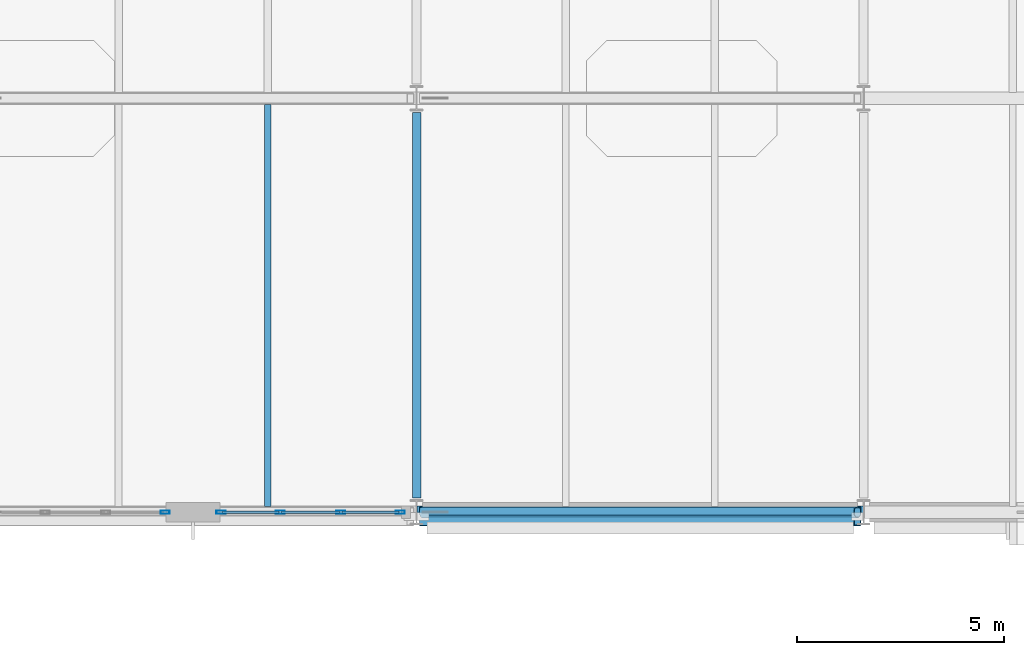
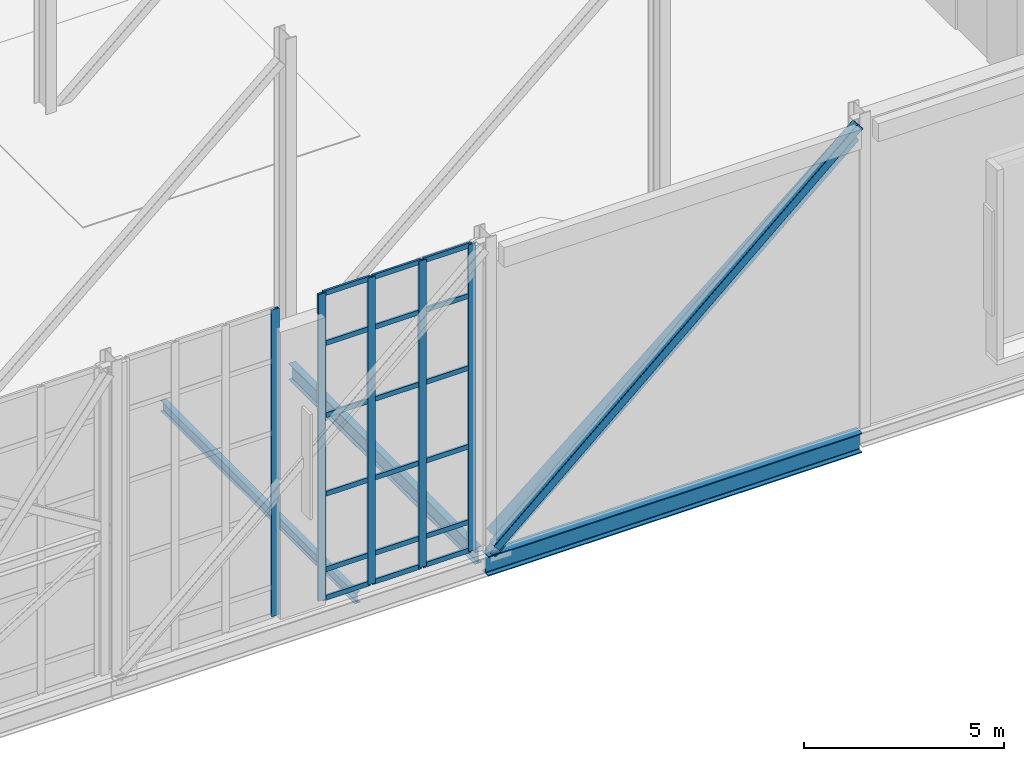
# One storey, part 15 of 100: 26 members, 3 beams, 2 elements without a shape of their own.
"""IFC4 building model written with IfcOpenShell, lengths in metres."""

from ifc_helpers import new_model, si_unit, direction, frame, origin, origin_2d, place, context, subcontext, project, spatial, hollow_rectangle, hollow_circle, i_section, extrude, material, layer, layer_set, material_profile, profile_set, type_object, element, aggregate, save


model = new_model("IFC4")

# Units and contexts
model_context = context("Model", 3, precision=1e-05, world=origin(), true_north=direction((0.0, 1.0)))
body_context = subcontext(model_context, "Body", "Model", "MODEL_VIEW")
ifc_project = project(units=[si_unit("LENGTHUNIT", "METRE"), si_unit("AREAUNIT", "SQUARE_METRE"), si_unit("VOLUMEUNIT", "CUBIC_METRE"), si_unit("PLANEANGLEUNIT", "RADIAN"), si_unit("MASSUNIT", "GRAM", prefix="KILO")], contexts=[model_context])

# Site, building, storey
site_placement = place(None, origin())
site = spatial("IfcSite", under=ifc_project, at=site_placement, CompositionType="ELEMENT")
building_placement = place(site_placement, origin())
building = spatial("IfcBuilding", under=site, at=building_placement, Name="Tasgan Crest Museum", CompositionType="ELEMENT")
storey_placement = place(building_placement, frame((0.0, 0.0, 14.39990234375)))
storey = spatial("IfcBuildingStorey", under=building, at=storey_placement, Name="L03", CompositionType="ELEMENT", Elevation=14.39990234375)

# Beams
ifc_material_1 = material(Name="Steel S355K2", Category="steel")
ifc_material_profile_1 = material_profile(ifc_material_1, i_section(OverallWidth=0.300048828125, OverallDepth=0.60009765625, WebThickness=0.015380859375, FlangeThickness=0.030029296875, FilletRadius=0.027099609375, at=origin_2d()), Name="HEB 600")
ifc_profile_set_1 = profile_set([ifc_material_profile_1], Name="Steel S355K2")
beam_type_1 = type_object("IfcBeamType", Name="BM-CANT-G1", PredefinedType="BEAM", material=ifc_profile_set_1)
beam_1_placement = place(storey_placement, frame((21.6064453125, 40.0, -0.559814453125), z_axis=(1.0, 0.0, 0.0), x_axis=(0.0, 1.0, 0.0)))
element("IfcBeam", 1, at=beam_1_placement, inside=storey, type_object=beam_type_1, Name="Transfer back-span girder 2 MID E", PredefinedType="BEAM", context=body_context, shape_type="SweptSolid", body=[
    extrude(i_section(OverallWidth=0.300048828125, OverallDepth=0.60009765625, WebThickness=0.015380859375, FlangeThickness=0.030029296875, FilletRadius=0.027099609375, at=origin_2d()), origin(), (0.0, 0.0, 1.0), 10.787109375),
])
ifc_material_2 = material(Name="Steel S355J2", Category="steel")
ifc_material_profile_2 = material_profile(ifc_material_2, i_section(OverallWidth=0.199951171875, OverallDepth=0.5, WebThickness=0.01025390625, FlangeThickness=0.01611328125, FilletRadius=0.02099609375, at=origin_2d()), Name="IPE 500")
ifc_profile_set_2 = profile_set([ifc_material_profile_2], Name="Steel S355J2")
beam_type_2 = type_object("IfcBeamType", Name="BM-G-IPE500", PredefinedType="BEAM", material=ifc_profile_set_2)
beam_2_placement = place(storey_placement, frame((21.60009765625, 40.344970703125, -0.510009765625), z_axis=(0.0, 1.0, 0.0), x_axis=(-1.0, 0.0, 0.0)))
element("IfcBeam", 2, at=beam_2_placement, inside=storey, type_object=beam_type_2, Name="Beam L03 3 40.0-50.0", PredefinedType="BEAM", context=body_context, shape_type="SweptSolid", body=[
    extrude(i_section(OverallWidth=0.199951171875, OverallDepth=0.5, WebThickness=0.01025390625, FlangeThickness=0.01611328125, FilletRadius=0.02099609375, at=origin_2d()), origin(), (0.0, 0.0, 1.0), 9.31005859375),
])
ifc_material_3 = material(Name="Steel S355J2", Category="steel")
ifc_material_profile_3 = material_profile(ifc_material_3, i_section(OverallWidth=0.159912109375, OverallDepth=0.330078125, WebThickness=0.007568359375, FlangeThickness=0.011474609375, FilletRadius=0.01806640625, at=origin_2d()), Name="IPE 330")
ifc_profile_set_3 = profile_set([ifc_material_profile_3], Name="Steel S355J2")
beam_type_3 = type_object("IfcBeamType", Name="BM-J-IPE330", PredefinedType="JOIST", material=ifc_profile_set_3)
beam_3_placement = place(storey_placement, frame((18.0, 40.14501953125, -0.4248046875), z_axis=(0.0, 1.0, 0.0), x_axis=(-1.0, 0.0, 0.0)))
element("IfcBeam", 3, at=beam_3_placement, inside=storey, type_object=beam_type_3, Name="Secondary joist L03 X=18.0 Y=40.0-50.0", PredefinedType="JOIST", context=body_context, shape_type="SweptSolid", body=[
    extrude(i_section(OverallWidth=0.159912109375, OverallDepth=0.330078125, WebThickness=0.007568359375, FlangeThickness=0.011474609375, FilletRadius=0.01806640625, at=origin_2d()), origin(), (0.0, 0.0, 1.0), 9.7099609375),
])

# Curtain wall, member
ifc_material_4 = material(Name="Triple-Glazed Aluminium Curtain Wall", Category="aluminium")
ifc_layer = layer(ifc_material_4, 0.179931640625, Name="CW-CANT-SIDE-96")
ifc_layer_set = layer_set([ifc_layer], Name="Triple-Glazed Aluminium Curtain Wall")
curtain_wall_type = type_object("IfcCurtainWallType", Name="CW-CANT-SIDE-96", PredefinedType="NOTDEFINED", material=ifc_layer_set)
curtain_wall_1_placement = place(storey_placement, origin())
curtain_wall_1 = element("IfcCurtainWall", 4, at=curtain_wall_1_placement, inside=storey, type_object=curtain_wall_type, Name="Curtain wall L03 141", PredefinedType="NOTDEFINED")
ifc_material_5 = material(Name="Anodised Aluminium", Category="aluminium")
ifc_material_profile_4 = material_profile(ifc_material_5, hollow_rectangle(XDim=0.074951171875, YDim=0.219970703125, WallThickness=0.006103515625, at=origin_2d()), Name="ALU MULLION 220x75x6")
ifc_profile_set_4 = profile_set([ifc_material_profile_4], Name="Anodised Aluminium")
member_type_1 = type_object("IfcMemberType", Name="CW-MULLION-220", PredefinedType="MULLION", material=ifc_profile_set_4)
member_1_placement = place(storey_placement, frame((15.52490234375, 40.0, 0.0), z_axis=(0.0, 0.0, 1.0), x_axis=(0.0, 1.0, 0.0)))
member_1 = element("IfcMember", 5, at=member_1_placement, type_object=member_type_1, Name="CW12 mullion 4", PredefinedType="MULLION", context=body_context, shape_type="SweptSolid", body=[
    extrude(hollow_rectangle(XDim=0.074951171875, YDim=0.219970703125, WallThickness=0.006103515625, at=origin_2d()), origin(), (0.0, 0.0, 1.0), 9.360107421875),
])
aggregate(curtain_wall_1, [member_1])

# Curtain wall, members
curtain_wall_2_placement = place(storey_placement, origin())
curtain_wall_2 = element("IfcCurtainWall", 6, at=curtain_wall_2_placement, inside=storey, type_object=curtain_wall_type, Name="Curtain wall L03 142", PredefinedType="NOTDEFINED")
member_2_placement = place(storey_placement, frame((16.875, 40.0, 0.0), z_axis=(0.0, 0.0, 1.0), x_axis=(0.0, 1.0, 0.0)))
member_2 = element("IfcMember", 7, at=member_2_placement, type_object=member_type_1, Name="CW12 mullion 1", PredefinedType="MULLION", context=body_context, shape_type="SweptSolid", body=[
    extrude(hollow_rectangle(XDim=0.074951171875, YDim=0.219970703125, WallThickness=0.006103515625, at=origin_2d()), origin(), (0.0, 0.0, 1.0), 9.360107421875),
])
member_3_placement = place(storey_placement, frame((18.308349609375, 40.0, 0.0), z_axis=(0.0, 0.0, 1.0), x_axis=(0.0, 1.0, 0.0)))
member_3 = element("IfcMember", 8, at=member_3_placement, type_object=member_type_1, Name="CW12 mullion 2", PredefinedType="MULLION", context=body_context, shape_type="SweptSolid", body=[
    extrude(hollow_rectangle(XDim=0.074951171875, YDim=0.219970703125, WallThickness=0.006103515625, at=origin_2d()), origin(), (0.0, 0.0, 1.0), 9.360107421875),
])
member_4_placement = place(storey_placement, frame((19.771728515625, 40.0, 0.0), z_axis=(0.0, 0.0, 1.0), x_axis=(0.0, 1.0, 0.0)))
member_4 = element("IfcMember", 9, at=member_4_placement, type_object=member_type_1, Name="CW12 mullion 3", PredefinedType="MULLION", context=body_context, shape_type="SweptSolid", body=[
    extrude(hollow_rectangle(XDim=0.074951171875, YDim=0.219970703125, WallThickness=0.006103515625, at=origin_2d()), origin(), (0.0, 0.0, 1.0), 9.360107421875),
])
member_5_placement = place(storey_placement, frame((21.205078125, 40.0, 0.0), z_axis=(0.0, 0.0, 1.0), x_axis=(0.0, 1.0, 0.0)))
member_5 = element("IfcMember", 10, at=member_5_placement, type_object=member_type_1, Name="CW12 mullion 4", PredefinedType="MULLION", context=body_context, shape_type="SweptSolid", body=[
    extrude(hollow_rectangle(XDim=0.074951171875, YDim=0.219970703125, WallThickness=0.006103515625, at=origin_2d()), origin(), (0.0, 0.0, 1.0), 9.360107421875),
])
ifc_material_6 = material(Name="Anodised Aluminium", Category="aluminium")
ifc_material_profile_5 = material_profile(ifc_material_6, hollow_rectangle(XDim=0.06005859375, YDim=0.14990234375, WallThickness=0.0048828125, at=origin_2d()), Name="ALU TRANSOM 150x60x5")
ifc_profile_set_5 = profile_set([ifc_material_profile_5], Name="Anodised Aluminium")
member_type_2 = type_object("IfcMemberType", Name="CW-TRANSOM-150", PredefinedType="USERDEFINED", material=ifc_profile_set_5)
member_6_placement = place(storey_placement, frame((16.905029296875, 40.0, 0.030029296875), z_axis=(1.0, 0.0, 0.0), x_axis=(0.0, 1.0, 0.0)))
member_6 = element("IfcMember", 11, at=member_6_placement, type_object=member_type_2, Name="CW12 transom 1.1", ObjectType="TRANSOM", PredefinedType="USERDEFINED", context=body_context, shape_type="SweptSolid", body=[
    extrude(hollow_rectangle(XDim=0.06005859375, YDim=0.14990234375, WallThickness=0.0048828125, at=origin_2d()), origin(), (0.0, 0.0, 1.0), 1.373291015625),
])
member_7_placement = place(storey_placement, frame((16.905029296875, 40.0, 0.900146484375), z_axis=(1.0, 0.0, 0.0), x_axis=(0.0, 1.0, 0.0)))
member_7 = element("IfcMember", 12, at=member_7_placement, type_object=member_type_2, Name="CW12 transom 1.2", ObjectType="TRANSOM", PredefinedType="USERDEFINED", context=body_context, shape_type="SweptSolid", body=[
    extrude(hollow_rectangle(XDim=0.06005859375, YDim=0.14990234375, WallThickness=0.0048828125, at=origin_2d()), origin(), (0.0, 0.0, 1.0), 1.373291015625),
])
member_8_placement = place(storey_placement, frame((16.905029296875, 40.0, 3.2001953125), z_axis=(1.0, 0.0, 0.0), x_axis=(0.0, 1.0, 0.0)))
member_8 = element("IfcMember", 13, at=member_8_placement, type_object=member_type_2, Name="CW12 transom 1.3", ObjectType="TRANSOM", PredefinedType="USERDEFINED", context=body_context, shape_type="SweptSolid", body=[
    extrude(hollow_rectangle(XDim=0.06005859375, YDim=0.14990234375, WallThickness=0.0048828125, at=origin_2d()), origin(), (0.0, 0.0, 1.0), 1.373291015625),
])
member_9_placement = place(storey_placement, frame((16.905029296875, 40.0, 5.60009765625), z_axis=(1.0, 0.0, 0.0), x_axis=(0.0, 1.0, 0.0)))
member_9 = element("IfcMember", 14, at=member_9_placement, type_object=member_type_2, Name="CW12 transom 1.4", ObjectType="TRANSOM", PredefinedType="USERDEFINED", context=body_context, shape_type="SweptSolid", body=[
    extrude(hollow_rectangle(XDim=0.06005859375, YDim=0.14990234375, WallThickness=0.0048828125, at=origin_2d()), origin(), (0.0, 0.0, 1.0), 1.373291015625),
])
member_10_placement = place(storey_placement, frame((16.905029296875, 40.0, 7.800048828125), z_axis=(1.0, 0.0, 0.0), x_axis=(0.0, 1.0, 0.0)))
member_10 = element("IfcMember", 15, at=member_10_placement, type_object=member_type_2, Name="CW12 transom 1.5", ObjectType="TRANSOM", PredefinedType="USERDEFINED", context=body_context, shape_type="SweptSolid", body=[
    extrude(hollow_rectangle(XDim=0.06005859375, YDim=0.14990234375, WallThickness=0.0048828125, at=origin_2d()), origin(), (0.0, 0.0, 1.0), 1.373291015625),
])
member_11_placement = place(storey_placement, frame((16.905029296875, 40.0, 9.330078125), z_axis=(1.0, 0.0, 0.0), x_axis=(0.0, 1.0, 0.0)))
member_11 = element("IfcMember", 16, at=member_11_placement, type_object=member_type_2, Name="CW12 transom 1.6", ObjectType="TRANSOM", PredefinedType="USERDEFINED", context=body_context, shape_type="SweptSolid", body=[
    extrude(hollow_rectangle(XDim=0.06005859375, YDim=0.14990234375, WallThickness=0.0048828125, at=origin_2d()), origin(), (0.0, 0.0, 1.0), 1.373291015625),
])
member_12_placement = place(storey_placement, frame((18.33837890625, 40.0, 0.030029296875), z_axis=(1.0, 0.0, 0.0), x_axis=(0.0, 1.0, 0.0)))
member_12 = element("IfcMember", 17, at=member_12_placement, type_object=member_type_2, Name="CW12 transom 2.1", ObjectType="TRANSOM", PredefinedType="USERDEFINED", context=body_context, shape_type="SweptSolid", body=[
    extrude(hollow_rectangle(XDim=0.06005859375, YDim=0.14990234375, WallThickness=0.0048828125, at=origin_2d()), origin(), (0.0, 0.0, 1.0), 1.4033203125),
])
member_13_placement = place(storey_placement, frame((18.33837890625, 40.0, 0.900146484375), z_axis=(1.0, 0.0, 0.0), x_axis=(0.0, 1.0, 0.0)))
member_13 = element("IfcMember", 18, at=member_13_placement, type_object=member_type_2, Name="CW12 transom 2.2", ObjectType="TRANSOM", PredefinedType="USERDEFINED", context=body_context, shape_type="SweptSolid", body=[
    extrude(hollow_rectangle(XDim=0.06005859375, YDim=0.14990234375, WallThickness=0.0048828125, at=origin_2d()), origin(), (0.0, 0.0, 1.0), 1.4033203125),
])
member_14_placement = place(storey_placement, frame((18.33837890625, 40.0, 3.2001953125), z_axis=(1.0, 0.0, 0.0), x_axis=(0.0, 1.0, 0.0)))
member_14 = element("IfcMember", 19, at=member_14_placement, type_object=member_type_2, Name="CW12 transom 2.3", ObjectType="TRANSOM", PredefinedType="USERDEFINED", context=body_context, shape_type="SweptSolid", body=[
    extrude(hollow_rectangle(XDim=0.06005859375, YDim=0.14990234375, WallThickness=0.0048828125, at=origin_2d()), origin(), (0.0, 0.0, 1.0), 1.4033203125),
])
member_15_placement = place(storey_placement, frame((18.33837890625, 40.0, 5.60009765625), z_axis=(1.0, 0.0, 0.0), x_axis=(0.0, 1.0, 0.0)))
member_15 = element("IfcMember", 20, at=member_15_placement, type_object=member_type_2, Name="CW12 transom 2.4", ObjectType="TRANSOM", PredefinedType="USERDEFINED", context=body_context, shape_type="SweptSolid", body=[
    extrude(hollow_rectangle(XDim=0.06005859375, YDim=0.14990234375, WallThickness=0.0048828125, at=origin_2d()), origin(), (0.0, 0.0, 1.0), 1.4033203125),
])
member_16_placement = place(storey_placement, frame((18.33837890625, 40.0, 7.800048828125), z_axis=(1.0, 0.0, 0.0), x_axis=(0.0, 1.0, 0.0)))
member_16 = element("IfcMember", 21, at=member_16_placement, type_object=member_type_2, Name="CW12 transom 2.5", ObjectType="TRANSOM", PredefinedType="USERDEFINED", context=body_context, shape_type="SweptSolid", body=[
    extrude(hollow_rectangle(XDim=0.06005859375, YDim=0.14990234375, WallThickness=0.0048828125, at=origin_2d()), origin(), (0.0, 0.0, 1.0), 1.4033203125),
])
member_17_placement = place(storey_placement, frame((18.33837890625, 40.0, 9.330078125), z_axis=(1.0, 0.0, 0.0), x_axis=(0.0, 1.0, 0.0)))
member_17 = element("IfcMember", 22, at=member_17_placement, type_object=member_type_2, Name="CW12 transom 2.6", ObjectType="TRANSOM", PredefinedType="USERDEFINED", context=body_context, shape_type="SweptSolid", body=[
    extrude(hollow_rectangle(XDim=0.06005859375, YDim=0.14990234375, WallThickness=0.0048828125, at=origin_2d()), origin(), (0.0, 0.0, 1.0), 1.4033203125),
])
member_18_placement = place(storey_placement, frame((19.8017578125, 40.0, 0.030029296875), z_axis=(1.0, 0.0, 0.0), x_axis=(0.0, 1.0, 0.0)))
member_18 = element("IfcMember", 23, at=member_18_placement, type_object=member_type_2, Name="CW12 transom 3.1", ObjectType="TRANSOM", PredefinedType="USERDEFINED", context=body_context, shape_type="SweptSolid", body=[
    extrude(hollow_rectangle(XDim=0.06005859375, YDim=0.14990234375, WallThickness=0.0048828125, at=origin_2d()), origin(), (0.0, 0.0, 1.0), 1.373291015625),
])
member_19_placement = place(storey_placement, frame((19.8017578125, 40.0, 0.900146484375), z_axis=(1.0, 0.0, 0.0), x_axis=(0.0, 1.0, 0.0)))
member_19 = element("IfcMember", 24, at=member_19_placement, type_object=member_type_2, Name="CW12 transom 3.2", ObjectType="TRANSOM", PredefinedType="USERDEFINED", context=body_context, shape_type="SweptSolid", body=[
    extrude(hollow_rectangle(XDim=0.06005859375, YDim=0.14990234375, WallThickness=0.0048828125, at=origin_2d()), origin(), (0.0, 0.0, 1.0), 1.373291015625),
])
member_20_placement = place(storey_placement, frame((19.8017578125, 40.0, 3.2001953125), z_axis=(1.0, 0.0, 0.0), x_axis=(0.0, 1.0, 0.0)))
member_20 = element("IfcMember", 25, at=member_20_placement, type_object=member_type_2, Name="CW12 transom 3.3", ObjectType="TRANSOM", PredefinedType="USERDEFINED", context=body_context, shape_type="SweptSolid", body=[
    extrude(hollow_rectangle(XDim=0.06005859375, YDim=0.14990234375, WallThickness=0.0048828125, at=origin_2d()), origin(), (0.0, 0.0, 1.0), 1.373291015625),
])
member_21_placement = place(storey_placement, frame((19.8017578125, 40.0, 5.60009765625), z_axis=(1.0, 0.0, 0.0), x_axis=(0.0, 1.0, 0.0)))
member_21 = element("IfcMember", 26, at=member_21_placement, type_object=member_type_2, Name="CW12 transom 3.4", ObjectType="TRANSOM", PredefinedType="USERDEFINED", context=body_context, shape_type="SweptSolid", body=[
    extrude(hollow_rectangle(XDim=0.06005859375, YDim=0.14990234375, WallThickness=0.0048828125, at=origin_2d()), origin(), (0.0, 0.0, 1.0), 1.373291015625),
])
member_22_placement = place(storey_placement, frame((19.8017578125, 40.0, 7.800048828125), z_axis=(1.0, 0.0, 0.0), x_axis=(0.0, 1.0, 0.0)))
member_22 = element("IfcMember", 27, at=member_22_placement, type_object=member_type_2, Name="CW12 transom 3.5", ObjectType="TRANSOM", PredefinedType="USERDEFINED", context=body_context, shape_type="SweptSolid", body=[
    extrude(hollow_rectangle(XDim=0.06005859375, YDim=0.14990234375, WallThickness=0.0048828125, at=origin_2d()), origin(), (0.0, 0.0, 1.0), 1.373291015625),
])
member_23_placement = place(storey_placement, frame((19.8017578125, 40.0, 9.330078125), z_axis=(1.0, 0.0, 0.0), x_axis=(0.0, 1.0, 0.0)))
member_23 = element("IfcMember", 28, at=member_23_placement, type_object=member_type_2, Name="CW12 transom 3.6", ObjectType="TRANSOM", PredefinedType="USERDEFINED", context=body_context, shape_type="SweptSolid", body=[
    extrude(hollow_rectangle(XDim=0.06005859375, YDim=0.14990234375, WallThickness=0.0048828125, at=origin_2d()), origin(), (0.0, 0.0, 1.0), 1.373291015625),
])
aggregate(curtain_wall_2, [member_2, member_3, member_4, member_5, member_6, member_7, member_8, member_9, member_10, member_11, member_12, member_13, member_14, member_15, member_16, member_17, member_18, member_19, member_20, member_21, member_22, member_23])

# Members
ifc_material_7 = material(Name="Steel S355K2", Category="steel")
ifc_material_profile_6 = material_profile(ifc_material_7, hollow_circle(Radius=0.136474609375, WallThickness=0.012451171875, at=origin_2d()), Name="CHS 273x12.5")
ifc_profile_set_6 = profile_set([ifc_material_profile_6], Name="Steel S355K2")
member_type_3 = type_object("IfcMemberType", Name="MEM-BRACE-CHS273", PredefinedType="BRACE", material=ifc_profile_set_6)
member_24_placement = place(storey_placement, frame((21.75, 40.0, 0.35009765625), z_axis=(0.770023320123, 0.0, 0.63801574155), x_axis=(0.0, 1.0, 0.0)))
element("IfcMember", 29, at=member_24_placement, inside=storey, type_object=member_type_3, Name="Diagonal brace L03 E 21.6-32.4", PredefinedType="BRACE", context=body_context, shape_type="SweptSolid", body=[
    extrude(hollow_circle(Radius=0.136474609375, WallThickness=0.012451171875, at=origin_2d()), origin(), (0.0, 0.0, 1.0), 13.635986328125),
])
ifc_material_8 = material(Name="Steel S355K2", Category="steel")
ifc_material_profile_7 = material_profile(ifc_material_8, hollow_rectangle(XDim=0.260009765625, YDim=0.260009765625, WallThickness=0.01416015625, InnerFilletRadius=0.01416015625, OuterFilletRadius=0.0283203125, at=origin_2d()), Name="SHS 260x260x14.2")
ifc_profile_set_7 = profile_set([ifc_material_profile_7], Name="Steel S355K2")
member_type_4 = type_object("IfcMemberType", Name="TR-CANT-DIAG", PredefinedType="BRACE", material=ifc_profile_set_7)
member_25_placement = place(storey_placement, frame((21.75, 40.0, -0.27978515625), z_axis=(0.757121387748, 0.0, 0.653274218237), x_axis=(0.0, 1.0, 0.0)))
element("IfcMember", 30, at=member_25_placement, inside=storey, type_object=member_type_4, Name="Transfer truss diagonal L03 E-3", PredefinedType="BRACE", context=body_context, shape_type="SweptSolid", body=[
    extrude(hollow_rectangle(XDim=0.260009765625, YDim=0.260009765625, WallThickness=0.01416015625, InnerFilletRadius=0.01416015625, OuterFilletRadius=0.0283203125, at=origin_2d()), origin(), (0.0, 0.0, 1.0), 13.868408203125),
])
member_26_placement = place(storey_placement, frame((21.75, 39.800048828125, 0.050048828125), z_axis=(0.752134521341, 0.0, 0.659009606764), x_axis=(0.0, 1.0, 0.0)))
element("IfcMember", 31, at=member_26_placement, inside=storey, type_object=member_type_4, Name="Exposed transfer truss diagonal S5", PredefinedType="BRACE", context=body_context, shape_type="SweptSolid", body=[
    extrude(hollow_rectangle(XDim=0.260009765625, YDim=0.260009765625, WallThickness=0.01416015625, InnerFilletRadius=0.01416015625, OuterFilletRadius=0.0283203125, at=origin_2d()), origin(), (0.0, 0.0, 1.0), 13.960205078125),
])

save(model, "model.ifc")
